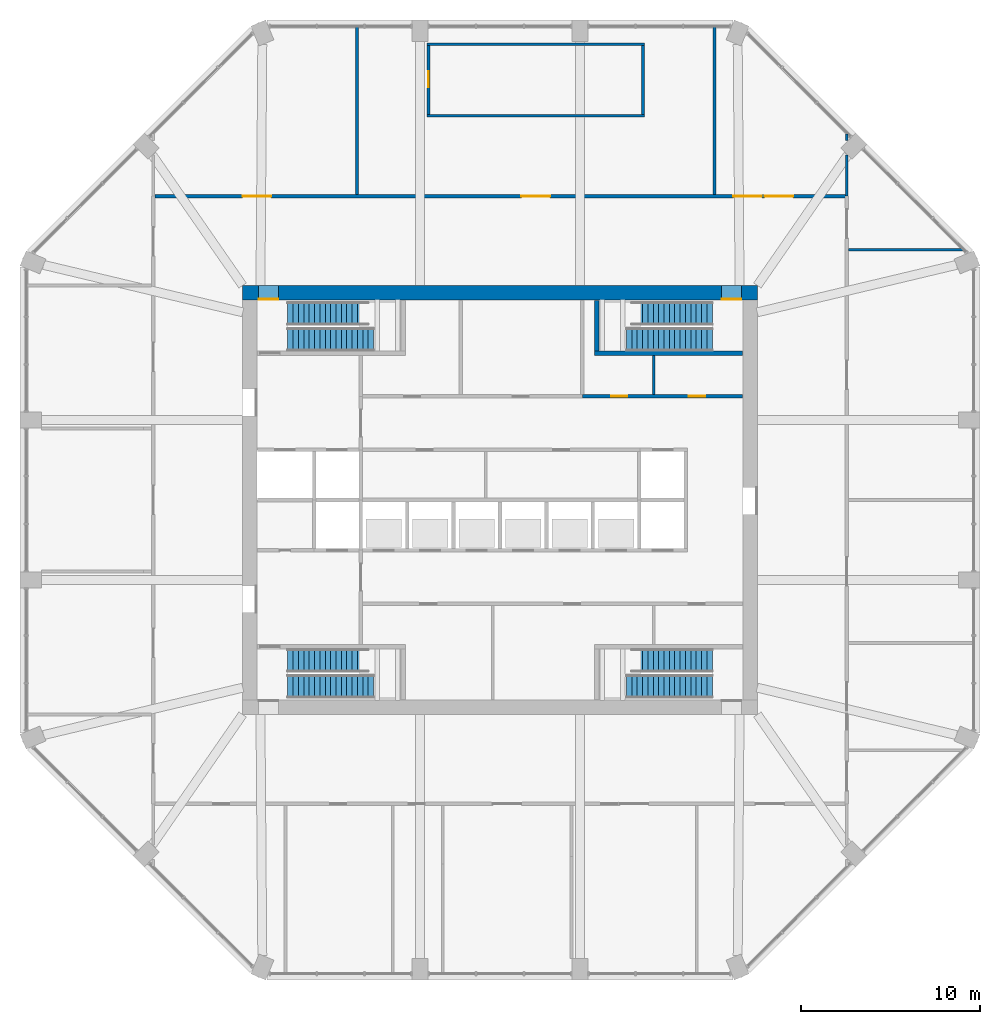
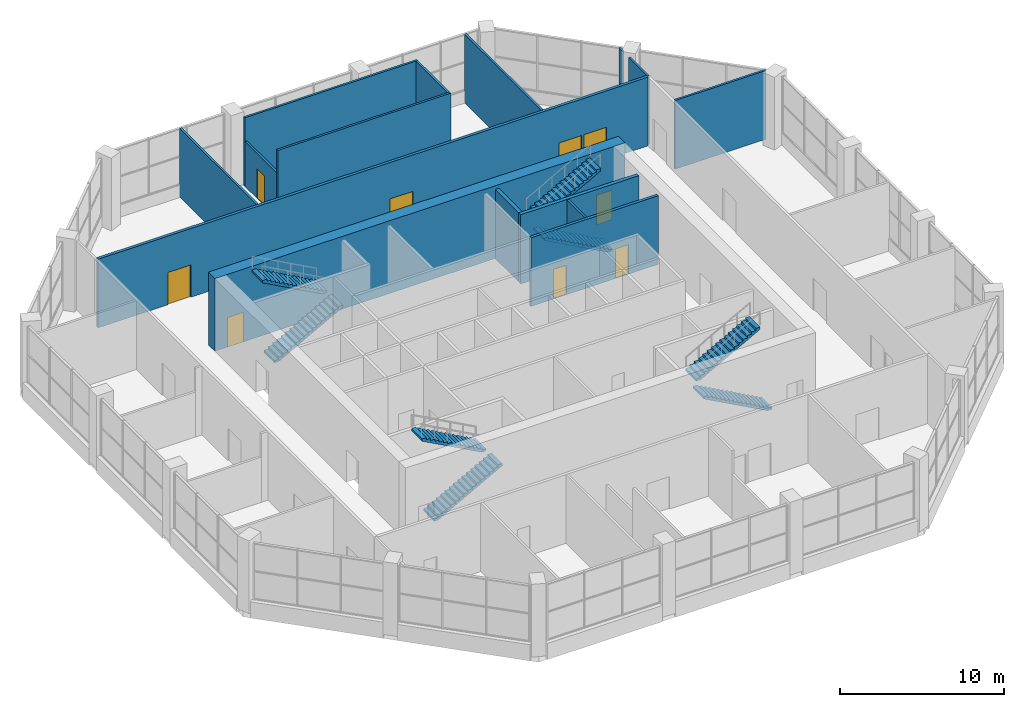
# One storey, part 14 of 16: 15 walls, 9 doors, 8 stair flights, 9 openings, 4 elements without a shape of their own.
"""IFC4 building model written with IfcOpenShell, lengths in metres."""

from ifc_helpers import new_model, si_unit, direction, frame, frame_2d, origin, place, context, subcontext, project, spatial, polyline, rectangle, outline, extrude, material, layer, layer_set, type_object, element, fill, aggregate, save


model = new_model("IFC4")

# Units and contexts
model_context = context("Model", 3, precision=1e-05, world=origin(), true_north=direction((0.0, 1.0)))
body_context = subcontext(model_context, "Body", "Model", "MODEL_VIEW")
ifc_project = project(units=[si_unit("LENGTHUNIT", "METRE"), si_unit("AREAUNIT", "SQUARE_METRE"), si_unit("VOLUMEUNIT", "CUBIC_METRE"), si_unit("PLANEANGLEUNIT", "RADIAN"), si_unit("MASSUNIT", "GRAM", prefix="KILO")], contexts=[model_context])

# Site, building, storey
site_placement = place(None, origin())
site = spatial("IfcSite", under=ifc_project, at=site_placement, CompositionType="ELEMENT")
building_placement = place(site_placement, origin())
building = spatial("IfcBuilding", under=site, at=building_placement, Name="Msitu Wima Residences", CompositionType="ELEMENT")
storey_placement = place(building_placement, frame((0.0, 0.0, 156.89990234375)))
storey = spatial("IfcBuildingStorey", under=building, at=storey_placement, Name="L36", CompositionType="ELEMENT", Elevation=156.89990234375)

# Wall, openings, doors
ifc_material_1 = material(Name="Concrete C70/85", Category="concrete")
ifc_layer_1 = layer(ifc_material_1, 0.800048828125)
ifc_layer_set_1 = layer_set([ifc_layer_1], Name="Concrete C70/85")
wall_type_1 = type_object("IfcWallType", Name="Core wall CW800 C70/85", PredefinedType="SHEAR", material=ifc_layer_set_1)
wall_1_placement = place(storey_placement, frame((-14.39990234375, 11.60009765625, 0.0), z_axis=(0.0, 0.0, 1.0), x_axis=(1.0, 0.0, 0.0)))
wall_1 = element("IfcWall", 1, at=wall_1_placement, inside=storey, type_object=wall_type_1, Name="Core wall", PredefinedType="SHEAR", context=body_context, shape_type="SweptSolid", body=[
    extrude(rectangle(XDim=28.7998046875, YDim=0.800048828125, at=frame_2d((14.39990234375, 0.0))), origin(), (0.0, 0.0, 1.0), 5.400146484375),
])
opening_1_placement = place(wall_1_placement, frame((0.89990234375, 0.0, 0.0)))
opening_1 = element("IfcOpeningElement", 2, at=opening_1_placement, cuts=wall_1, Name="Opening D36.040", PredefinedType="OPENING", context=body_context, shape_type="SweptSolid", body=[
    extrude(rectangle(XDim=1.10009765625, YDim=2.199951171875, at=frame_2d((0.550048828125, 1.10009765625))), frame((0.0, 0.409912109375, 0.0), z_axis=(0.0, -1.0, 0.0), x_axis=(1.0, 0.0, 0.0)), (0.0, 0.0, 1.0), 0.820068359375),
])
opening_2_placement = place(wall_1_placement, frame((26.800048828125, 0.0, 0.0)))
opening_2 = element("IfcOpeningElement", 3, at=opening_2_placement, cuts=wall_1, Name="Opening D36.042", PredefinedType="OPENING", context=body_context, shape_type="SweptSolid", body=[
    extrude(rectangle(XDim=1.10009765625, YDim=2.199951171875, at=frame_2d((0.550048828125, 1.10009765625))), frame((0.0, 0.409912109375, 0.0), z_axis=(0.0, -1.0, 0.0), x_axis=(1.0, 0.0, 0.0)), (0.0, 0.0, 1.0), 0.820068359375),
])
ifc_material_2 = material(Name="Steel door, fire resisting, panic bar", Category="steel")
door_type_1 = type_object("IfcDoorType", Name="Stair door D06 1100x2200", OperationType="SINGLE_SWING_LEFT", PredefinedType="DOOR", material=ifc_material_2)
door_1_placement = place(opening_1_placement, origin())
door_1 = element("IfcDoor", 4, at=door_1_placement, inside=storey, type_object=door_type_1, Name="Stair door", OperationType="SINGLE_SWING_RIGHT", OverallHeight=2.199951171875, OverallWidth=1.10009765625, PredefinedType="DOOR", context=body_context, shape_type="SweptSolid", body=[
    extrude(rectangle(XDim=1.10009765625, YDim=2.199951171875, at=frame_2d((0.550048828125, 1.10009765625))), frame((0.0, -0.34521484375, 0.0), z_axis=(0.0, -1.0, 0.0), x_axis=(1.0, 0.0, 0.0)), (0.0, 0.0, 1.0), 0.050048828125),
])
fill(opening_1, door_1)
door_2_placement = place(opening_2_placement, origin())
door_2 = element("IfcDoor", 5, at=door_2_placement, inside=storey, type_object=door_type_1, Name="Stair door", OperationType="SINGLE_SWING_LEFT", OverallHeight=2.199951171875, OverallWidth=1.10009765625, PredefinedType="DOOR", context=body_context, shape_type="SweptSolid", body=[
    extrude(rectangle(XDim=1.10009765625, YDim=2.199951171875, at=frame_2d((0.550048828125, 1.10009765625))), frame((0.0, -0.34521484375, 0.0), z_axis=(0.0, -1.0, 0.0), x_axis=(1.0, 0.0, 0.0)), (0.0, 0.0, 1.0), 0.050048828125),
])
fill(opening_2, door_2)

ifc_material_3 = material(Name="Plaster")
ifc_layer_2 = layer(ifc_material_3, 0.011962890625, Name="Plaster")
ifc_material_4 = material(Name="Concrete blockwork", Category="masonry")
ifc_layer_3 = layer(ifc_material_4, 0.176025390625, Name="Concrete blockwork")
ifc_layer_4 = layer(ifc_material_3, 0.011962890625, Name="Plaster")
ifc_layer_set_2 = layer_set([ifc_layer_2, ifc_layer_3, ifc_layer_4], Name="Concrete blockwork")
wall_type_2 = type_object("IfcWallType", Name="Corridor wall FW200", PredefinedType="PARTITIONING", material=ifc_layer_set_2)
wall_2_placement = place(storey_placement, frame((-19.300048828125, 17.0, 0.0), z_axis=(0.0, 0.0, 1.0), x_axis=(1.0, 0.0, 0.0)))
wall_2 = element("IfcWall", 6, at=wall_2_placement, inside=storey, type_object=wall_type_2, Name="Corridor wall", PredefinedType="PARTITIONING", context=body_context, shape_type="SweptSolid", body=[
    extrude(rectangle(XDim=38.625, YDim=0.199951171875, at=frame_2d((19.3125, 0.0))), origin(), (0.0, 0.0, 1.0), 5.10009765625),
])
opening_3_placement = place(wall_2_placement, frame((4.89990234375, 0.0, 0.0)))
opening_3 = element("IfcOpeningElement", 7, at=opening_3_placement, cuts=wall_2, Name="Opening D36.020", PredefinedType="OPENING", context=body_context, shape_type="SweptSolid", body=[
    extrude(rectangle(XDim=1.60009765625, YDim=2.39990234375, at=frame_2d((0.800048828125, 1.199951171875))), frame((0.0, 0.10986328125, 0.0), z_axis=(0.0, -1.0, 0.0), x_axis=(1.0, 0.0, 0.0)), (0.0, 0.0, 1.0), 0.219970703125),
])
opening_4_placement = place(wall_2_placement, frame((34.10009765625, 0.0, 0.0)))
opening_4 = element("IfcOpeningElement", 8, at=opening_4_placement, cuts=wall_2, Name="Opening D36.021", PredefinedType="OPENING", context=body_context, shape_type="SweptSolid", body=[
    extrude(rectangle(XDim=1.60009765625, YDim=2.39990234375, at=frame_2d((0.800048828125, 1.199951171875))), frame((0.0, 0.10986328125, 0.0), z_axis=(0.0, -1.0, 0.0), x_axis=(1.0, 0.0, 0.0)), (0.0, 0.0, 1.0), 0.219970703125),
])
opening_5_placement = place(wall_2_placement, frame((20.5, 0.0, 0.0)))
opening_5 = element("IfcOpeningElement", 9, at=opening_5_placement, cuts=wall_2, Name="Opening D36.033", PredefinedType="OPENING", context=body_context, shape_type="SweptSolid", body=[
    extrude(rectangle(XDim=1.60009765625, YDim=2.39990234375, at=frame_2d((0.800048828125, 1.199951171875))), frame((0.0, 0.10986328125, 0.0), z_axis=(0.0, -1.0, 0.0), x_axis=(1.0, 0.0, 0.0)), (0.0, 0.0, 1.0), 0.219970703125),
])
opening_6_placement = place(wall_2_placement, frame((32.35009765625, 0.0, 0.0)))
opening_6 = element("IfcOpeningElement", 10, at=opening_6_placement, cuts=wall_2, Name="Opening D36.034", PredefinedType="OPENING", context=body_context, shape_type="SweptSolid", body=[
    extrude(rectangle(XDim=1.60009765625, YDim=2.39990234375, at=frame_2d((0.800048828125, 1.199951171875))), frame((0.0, 0.10986328125, 0.0), z_axis=(0.0, -1.0, 0.0), x_axis=(1.0, 0.0, 0.0)), (0.0, 0.0, 1.0), 0.219970703125),
])
ifc_material_5 = material(Name="Black aluminium glazed door", Category="aluminium")
door_type_2 = type_object("IfcDoorType", Name="Amenity door D10 1600x2400", OperationType="DOUBLE_DOOR_SINGLE_SWING", PredefinedType="DOOR", material=ifc_material_5)
door_3_placement = place(opening_3_placement, origin())
door_3 = element("IfcDoor", 11, at=door_3_placement, inside=storey, type_object=door_type_2, Name="Amenity door", OperationType="DOUBLE_DOOR_SINGLE_SWING", OverallHeight=2.39990234375, OverallWidth=1.60009765625, PredefinedType="DOOR", context=body_context, shape_type="SweptSolid", body=[
    extrude(rectangle(XDim=1.60009765625, YDim=2.39990234375, at=frame_2d((0.800048828125, 1.199951171875))), frame((0.0, 0.02490234375, 0.0), z_axis=(0.0, -1.0, 0.0), x_axis=(1.0, 0.0, 0.0)), (0.0, 0.0, 1.0), 0.050048828125),
])
fill(opening_3, door_3)
door_4_placement = place(opening_4_placement, origin())
door_4 = element("IfcDoor", 12, at=door_4_placement, inside=storey, type_object=door_type_2, Name="Amenity door", OperationType="DOUBLE_DOOR_SINGLE_SWING", OverallHeight=2.39990234375, OverallWidth=1.60009765625, PredefinedType="DOOR", context=body_context, shape_type="SweptSolid", body=[
    extrude(rectangle(XDim=1.60009765625, YDim=2.39990234375, at=frame_2d((0.800048828125, 1.199951171875))), frame((0.0, 0.02490234375, 0.0), z_axis=(0.0, -1.0, 0.0), x_axis=(1.0, 0.0, 0.0)), (0.0, 0.0, 1.0), 0.050048828125),
])
fill(opening_4, door_4)
door_5_placement = place(opening_5_placement, origin())
door_5 = element("IfcDoor", 13, at=door_5_placement, inside=storey, type_object=door_type_2, Name="Amenity door", OperationType="DOUBLE_DOOR_SINGLE_SWING", OverallHeight=2.39990234375, OverallWidth=1.60009765625, PredefinedType="DOOR", context=body_context, shape_type="SweptSolid", body=[
    extrude(rectangle(XDim=1.60009765625, YDim=2.39990234375, at=frame_2d((0.800048828125, 1.199951171875))), frame((0.0, 0.02490234375, 0.0), z_axis=(0.0, -1.0, 0.0), x_axis=(1.0, 0.0, 0.0)), (0.0, 0.0, 1.0), 0.050048828125),
])
fill(opening_5, door_5)
door_6_placement = place(opening_6_placement, origin())
door_6 = element("IfcDoor", 14, at=door_6_placement, inside=storey, type_object=door_type_2, Name="Amenity door", OperationType="DOUBLE_DOOR_SINGLE_SWING", OverallHeight=2.39990234375, OverallWidth=1.60009765625, PredefinedType="DOOR", context=body_context, shape_type="SweptSolid", body=[
    extrude(rectangle(XDim=1.60009765625, YDim=2.39990234375, at=frame_2d((0.800048828125, 1.199951171875))), frame((0.0, 0.02490234375, 0.0), z_axis=(0.0, -1.0, 0.0), x_axis=(1.0, 0.0, 0.0)), (0.0, 0.0, 1.0), 0.050048828125),
])
fill(opening_6, door_6)

wall_3_placement = place(storey_placement, frame((4.6201171875, 5.800048828125, 0.0), z_axis=(0.0, 0.0, 1.0), x_axis=(1.0, 0.0, 0.0)))
wall_3 = element("IfcWall", 15, at=wall_3_placement, inside=storey, type_object=wall_type_2, Name="Corridor wall", PredefinedType="PARTITIONING", context=body_context, shape_type="SweptSolid", body=[
    extrude(rectangle(XDim=8.949951171875, YDim=0.199951171875, at=frame_2d((4.47509765625, 0.0))), origin(), (0.0, 0.0, 1.0), 5.10009765625),
])
opening_7_placement = place(wall_3_placement, frame((1.60009765625, 0.0, 0.0)))
opening_7 = element("IfcOpeningElement", 16, at=opening_7_placement, cuts=wall_3, Name="Opening D36.005", PredefinedType="OPENING", context=body_context, shape_type="SweptSolid", body=[
    extrude(rectangle(XDim=0.89990234375, YDim=2.199951171875, at=frame_2d((0.449951171875, 1.10009765625))), frame((0.0, 0.10986328125, 0.0), z_axis=(0.0, -1.0, 0.0), x_axis=(1.0, 0.0, 0.0)), (0.0, 0.0, 1.0), 0.219970703125),
])
opening_8_placement = place(wall_3_placement, frame((5.949951171875, 0.0, 0.0)))
opening_8 = element("IfcOpeningElement", 17, at=opening_8_placement, cuts=wall_3, Name="Opening D36.006", PredefinedType="OPENING", context=body_context, shape_type="SweptSolid", body=[
    extrude(rectangle(XDim=0.89990234375, YDim=2.199951171875, at=frame_2d((0.449951171875, 1.10009765625))), frame((0.0, 0.10986328125, 0.0), z_axis=(0.0, -1.0, 0.0), x_axis=(1.0, 0.0, 0.0)), (0.0, 0.0, 1.0), 0.219970703125),
])
ifc_material_6 = material(Name="Timber flush door", Category="wood")
door_type_3 = type_object("IfcDoorType", Name="Service door D05 900x2200", OperationType="SINGLE_SWING_LEFT", PredefinedType="DOOR", material=ifc_material_6)
door_7_placement = place(opening_7_placement, origin())
door_7 = element("IfcDoor", 18, at=door_7_placement, inside=storey, type_object=door_type_3, Name="Service door", OperationType="SINGLE_SWING_RIGHT", OverallHeight=2.199951171875, OverallWidth=0.89990234375, PredefinedType="DOOR", context=body_context, shape_type="SweptSolid", body=[
    extrude(rectangle(XDim=0.89990234375, YDim=2.199951171875, at=frame_2d((0.449951171875, 1.10009765625))), frame((0.0, 0.02490234375, 0.0), z_axis=(0.0, -1.0, 0.0), x_axis=(1.0, 0.0, 0.0)), (0.0, 0.0, 1.0), 0.050048828125),
])
fill(opening_7, door_7)
door_8_placement = place(opening_8_placement, origin())
door_8 = element("IfcDoor", 19, at=door_8_placement, inside=storey, type_object=door_type_3, Name="Service door", OperationType="SINGLE_SWING_LEFT", OverallHeight=2.199951171875, OverallWidth=0.89990234375, PredefinedType="DOOR", context=body_context, shape_type="SweptSolid", body=[
    extrude(rectangle(XDim=0.89990234375, YDim=2.199951171875, at=frame_2d((0.449951171875, 1.10009765625))), frame((0.0, 0.02490234375, 0.0), z_axis=(0.0, -1.0, 0.0), x_axis=(1.0, 0.0, 0.0)), (0.0, 0.0, 1.0), 0.050048828125),
])
fill(opening_8, door_8)

# Wall
ifc_layer_5 = layer(ifc_material_3, 0.011962890625, Name="Plaster")
ifc_layer_6 = layer(ifc_material_4, 0.1259765625, Name="Concrete blockwork")
ifc_layer_7 = layer(ifc_material_3, 0.011962890625, Name="Plaster")
ifc_layer_set_3 = layer_set([ifc_layer_5, ifc_layer_6, ifc_layer_7], Name="Concrete blockwork")
wall_type_3 = type_object("IfcWallType", Name="Partition PW150", PredefinedType="PARTITIONING", material=ifc_layer_set_3)
wall_4_placement = place(storey_placement, frame((-8.0, 17.10009765625, 0.0), z_axis=(0.0, 0.0, 1.0), x_axis=(0.0, 1.0, 0.0)))
element("IfcWall", 20, at=wall_4_placement, inside=storey, type_object=wall_type_3, Name="Partition", PredefinedType="PARTITIONING", context=body_context, shape_type="SweptSolid", body=[
    extrude(rectangle(XDim=9.35498046875, YDim=0.14990234375, at=frame_2d((4.677490234375, 0.0))), origin(), (0.0, 0.0, 1.0), 5.10009765625),
])

# Wall, opening, door
wall_5_placement = place(storey_placement, frame((-4.0, 21.574951171875, 0.0), z_axis=(0.0, 0.0, 1.0), x_axis=(0.0, 1.0, 0.0)))
wall_5 = element("IfcWall", 21, at=wall_5_placement, inside=storey, type_object=wall_type_3, Name="Partition", PredefinedType="PARTITIONING", context=body_context, shape_type="SweptSolid", body=[
    extrude(rectangle(XDim=3.85009765625, YDim=0.14990234375, at=frame_2d((1.925048828125, 0.0))), origin(), (0.0, 0.0, 1.0), 3.35009765625),
])
opening_9_placement = place(wall_5_placement, frame((1.5, 0.0, 0.0)))
opening_9 = element("IfcOpeningElement", 22, at=opening_9_placement, cuts=wall_5, Name="Opening D36.044", PredefinedType="OPENING", context=body_context, shape_type="SweptSolid", body=[
    extrude(rectangle(XDim=0.89990234375, YDim=2.199951171875, at=frame_2d((0.449951171875, 1.10009765625))), frame((0.0, 0.0849609375, 0.0), z_axis=(0.0, -1.0, 0.0), x_axis=(1.0, 0.0, 0.0)), (0.0, 0.0, 1.0), 0.169921875),
])
door_9_placement = place(opening_9_placement, origin())
door_9 = element("IfcDoor", 23, at=door_9_placement, inside=storey, type_object=door_type_3, Name="Service door", OperationType="SINGLE_SWING_RIGHT", OverallHeight=2.199951171875, OverallWidth=0.89990234375, PredefinedType="DOOR", context=body_context, shape_type="SweptSolid", body=[
    extrude(rectangle(XDim=0.89990234375, YDim=2.199951171875, at=frame_2d((0.449951171875, 1.10009765625))), frame((0.0, 0.02490234375, 0.0), z_axis=(0.0, -1.0, 0.0), x_axis=(1.0, 0.0, 0.0)), (0.0, 0.0, 1.0), 0.050048828125),
])
fill(opening_9, door_9)

# Walls
for number, where, z_axis, x_axis, name in (
    (24, (-4.074951171875, 21.5, 0.0), (0.0, 0.0, 1.0), (1.0, 0.0, 0.0), "Partition"),
    (25, (-4.074951171875, 25.5, 0.0), (0.0, 0.0, 1.0), (1.0, 0.0, 0.0), "Partition"),
):
    element("IfcWall", number, at=place(storey_placement, frame(where, z_axis=z_axis, x_axis=x_axis)), inside=storey, type_object=wall_type_3, Name=name, PredefinedType="PARTITIONING", context=body_context, shape_type="SweptSolid", body=[
        extrude(rectangle(XDim=12.14990234375, YDim=0.14990234375, at=frame_2d((6.074951171875, 0.0))), origin(), (0.0, 0.0, 1.0), 5.10009765625),
    ])
wall_6_placement = place(storey_placement, frame((8.0, 21.574951171875, 0.0), z_axis=(0.0, 0.0, 1.0), x_axis=(0.0, 1.0, 0.0)))
element("IfcWall", 26, at=wall_6_placement, inside=storey, type_object=wall_type_3, Name="Partition", PredefinedType="PARTITIONING", context=body_context, shape_type="SweptSolid", body=[
    extrude(rectangle(XDim=3.85009765625, YDim=0.14990234375, at=frame_2d((1.925048828125, 0.0))), origin(), (0.0, 0.0, 1.0), 5.10009765625),
])
wall_7_placement = place(storey_placement, frame((8.60009765625, 5.89990234375, 0.0), z_axis=(0.0, 0.0, 1.0), x_axis=(0.0, 1.0, 0.0)))
element("IfcWall", 27, at=wall_7_placement, inside=storey, type_object=wall_type_3, Name="Partition", PredefinedType="PARTITIONING", context=body_context, shape_type="SweptSolid", body=[
    extrude(rectangle(XDim=2.175048828125, YDim=0.14990234375, at=frame_2d((1.08740234375, 0.0))), origin(), (0.0, 0.0, 1.0), 5.10009765625),
])
wall_8_placement = place(storey_placement, frame((12.0, 17.10009765625, 0.0), z_axis=(0.0, 0.0, 1.0), x_axis=(0.0, 1.0, 0.0)))
element("IfcWall", 28, at=wall_8_placement, inside=storey, type_object=wall_type_3, Name="Partition", PredefinedType="PARTITIONING", context=body_context, shape_type="SweptSolid", body=[
    extrude(rectangle(XDim=9.35498046875, YDim=0.14990234375, at=frame_2d((4.677490234375, 0.0))), origin(), (0.0, 0.0, 1.0), 5.10009765625),
])
wall_9_placement = place(storey_placement, frame((19.5, 14.0, 0.0), z_axis=(0.0, 0.0, 1.0), x_axis=(1.0, 0.0, 0.0)))
element("IfcWall", 29, at=wall_9_placement, inside=storey, type_object=wall_type_3, Name="Partition", PredefinedType="PARTITIONING", context=body_context, shape_type="SweptSolid", body=[
    extrude(rectangle(XDim=6.3837890625, YDim=0.14990234375, at=frame_2d((3.19189453125, 0.0))), origin(), (0.0, 0.0, 1.0), 5.10009765625),
])
wall_10_placement = place(storey_placement, frame((19.39990234375, 17.0, 0.0), z_axis=(0.0, 0.0, 1.0), x_axis=(0.0, 1.0, 0.0)))
element("IfcWall", 30, at=wall_10_placement, inside=storey, type_object=wall_type_3, Name="Partition", PredefinedType="PARTITIONING", context=body_context, shape_type="SweptSolid", body=[
    extrude(rectangle(XDim=2.28515625, YDim=0.14990234375, at=frame_2d((1.142578125, 0.0))), origin(), (0.0, 0.0, 1.0), 5.10009765625),
])
wall_11_placement = place(storey_placement, frame((19.39990234375, 20.096435546875, 0.0), z_axis=(0.0, 0.0, 1.0), x_axis=(0.0, 1.0, 0.0)))
element("IfcWall", 31, at=wall_11_placement, inside=storey, type_object=wall_type_3, Name="Partition", PredefinedType="PARTITIONING", context=body_context, shape_type="SweptSolid", body=[
    extrude(rectangle(XDim=0.38720703125, YDim=0.14990234375, at=frame_2d((0.193603515625, 0.0))), origin(), (0.0, 0.0, 1.0), 5.10009765625),
])
ifc_material_7 = material(Name="Concrete C50/60", Category="concrete")
ifc_layer_8 = layer(ifc_material_7, 0.25)
ifc_layer_set_4 = layer_set([ifc_layer_8], Name="Concrete C50/60")
wall_type_4 = type_object("IfcWallType", Name="Stair enclosure wall SW250", PredefinedType="SHEAR", material=ifc_layer_set_4)
wall_12_placement = place(storey_placement, frame((5.39990234375, 8.324951171875, 0.0), z_axis=(0.0, 0.0, 1.0), x_axis=(0.0, 1.0, 0.0)))
element("IfcWall", 32, at=wall_12_placement, inside=storey, type_object=wall_type_4, Name="Stair enclosure wall", PredefinedType="SHEAR", context=body_context, shape_type="SweptSolid", body=[
    extrude(rectangle(XDim=2.844970703125, YDim=0.25, at=frame_2d((1.42236328125, 0.0))), origin(), (0.0, 0.0, 1.0), 5.150146484375),
])
wall_13_placement = place(storey_placement, frame((5.27490234375, 8.199951171875, 0.0), z_axis=(0.0, 0.0, 1.0), x_axis=(1.0, 0.0, 0.0)))
element("IfcWall", 33, at=wall_13_placement, inside=storey, type_object=wall_type_4, Name="Stair enclosure wall", PredefinedType="SHEAR", context=body_context, shape_type="SweptSolid", body=[
    extrude(rectangle(XDim=8.295166015625, YDim=0.25, at=frame_2d((4.1474609375, 0.0))), origin(), (0.0, 0.0, 1.0), 5.150146484375),
])

# Stair, stair flights
ifc_material_8 = material(Name="Concrete C40/50", Category="concrete")
stair_type = type_object("IfcStairType", Name="Exit stair ES1636-130", PredefinedType="HALF_TURN_STAIR", material=ifc_material_8)
stair_1_placement = place(storey_placement, origin())
stair_1 = element("IfcStair", 34, at=stair_1_placement, inside=storey, type_object=stair_type, Name="Exit stair 1", PredefinedType="HALF_TURN_STAIR")
stair_flight_type = type_object("IfcStairFlightType", Name="Exit stair flight ES1636-130", PredefinedType="STRAIGHT", material=ifc_material_8)
stair_flight_1_placement = place(storey_placement, frame((-11.875, 8.97509765625, 0.0), z_axis=(0.0, 0.0, 1.0), x_axis=(1.0, 0.0, 0.0)))
stair_flight_1 = element("IfcStairFlight", 35, at=stair_flight_1_placement, type_object=stair_flight_type, Name="S1 flight 1", NumberOfRisers=17, NumberOfTreads=16, PredefinedType="STRAIGHT", RiserHeight=0.163636364, TreadLength=0.3, context=body_context, shape_type="SweptSolid", body=[
    extrude(outline(polyline([(0.0, 0.0), (0.0, 0.16357421875), (0.300048828125, 0.16357421875), (0.300048828125, 0.327392578125), (0.60009765625, 0.327392578125), (0.60009765625, 0.490966796875), (0.89990234375, 0.490966796875), (0.89990234375, 0.654541015625), (1.199951171875, 0.654541015625), (1.199951171875, 0.818115234375), (1.5, 0.818115234375), (1.5, 0.98193359375), (1.800048828125, 0.98193359375), (1.800048828125, 1.1455078125), (2.10009765625, 1.1455078125), (2.10009765625, 1.30908203125), (2.39990234375, 1.30908203125), (2.39990234375, 1.47265625), (2.699951171875, 1.47265625), (2.699951171875, 1.636474609375), (3.0, 1.636474609375), (3.0, 1.800048828125), (3.300048828125, 1.800048828125), (3.300048828125, 1.963623046875), (3.60009765625, 1.963623046875), (3.60009765625, 2.127197265625), (3.89990234375, 2.127197265625), (3.89990234375, 2.291015625), (4.199951171875, 2.291015625), (4.199951171875, 2.45458984375), (4.5, 2.45458984375), (4.5, 2.6181640625), (4.800048828125, 2.6181640625), (4.800048828125, 2.78173828125), (4.800048828125, 2.447509765625), (0.31298828125, 0.0), (0.0, 0.0)])), frame((0.0, 0.64990234375, 0.0), z_axis=(0.0, -1.0, 0.0), x_axis=(1.0, 0.0, 0.0)), (0.0, 0.0, 1.0), 1.300048828125),
])
stair_flight_2_placement = place(storey_placement, frame((-7.375, 10.425048828125, 2.781982421875), z_axis=(0.0, 0.0, 1.0), x_axis=(-1.0, 0.0, 0.0)))
stair_flight_2 = element("IfcStairFlight", 36, at=stair_flight_2_placement, type_object=stair_flight_type, Name="S1 flight 2", NumberOfRisers=16, NumberOfTreads=15, PredefinedType="STRAIGHT", RiserHeight=0.163636364, TreadLength=0.3, context=body_context, shape_type="SweptSolid", body=[
    extrude(outline(polyline([(0.0, 0.0), (0.0, 0.16357421875), (0.300048828125, 0.16357421875), (0.300048828125, 0.327392578125), (0.60009765625, 0.327392578125), (0.60009765625, 0.490966796875), (0.89990234375, 0.490966796875), (0.89990234375, 0.654541015625), (1.199951171875, 0.654541015625), (1.199951171875, 0.818115234375), (1.5, 0.818115234375), (1.5, 0.98193359375), (1.800048828125, 0.98193359375), (1.800048828125, 1.1455078125), (2.10009765625, 1.1455078125), (2.10009765625, 1.30908203125), (2.39990234375, 1.30908203125), (2.39990234375, 1.47265625), (2.699951171875, 1.47265625), (2.699951171875, 1.636474609375), (3.0, 1.636474609375), (3.0, 1.800048828125), (3.300048828125, 1.800048828125), (3.300048828125, 1.963623046875), (3.60009765625, 1.963623046875), (3.60009765625, 2.127197265625), (3.89990234375, 2.127197265625), (3.89990234375, 2.291015625), (4.199951171875, 2.291015625), (4.199951171875, 2.45458984375), (4.5, 2.45458984375), (4.5, 2.6181640625), (4.5, 2.28369140625), (0.31298828125, 0.0), (0.0, 0.0)])), frame((0.0, 0.64990234375, 0.0), z_axis=(0.0, -1.0, 0.0), x_axis=(1.0, 0.0, 0.0)), (0.0, 0.0, 1.0), 1.300048828125),
])
aggregate(stair_1, [stair_flight_1, stair_flight_2])

stair_2_placement = place(storey_placement, origin())
stair_2 = element("IfcStair", 37, at=stair_2_placement, inside=storey, type_object=stair_type, Name="Exit stair 2", PredefinedType="HALF_TURN_STAIR")
stair_flight_3_placement = place(storey_placement, frame((-11.875, -10.425048828125, 0.0), z_axis=(0.0, 0.0, 1.0), x_axis=(1.0, 0.0, 0.0)))
stair_flight_3 = element("IfcStairFlight", 38, at=stair_flight_3_placement, type_object=stair_flight_type, Name="S2 flight 1", NumberOfRisers=17, NumberOfTreads=16, PredefinedType="STRAIGHT", RiserHeight=0.163636364, TreadLength=0.3, context=body_context, shape_type="SweptSolid", body=[
    extrude(outline(polyline([(0.0, 0.0), (0.0, 0.16357421875), (0.300048828125, 0.16357421875), (0.300048828125, 0.327392578125), (0.60009765625, 0.327392578125), (0.60009765625, 0.490966796875), (0.89990234375, 0.490966796875), (0.89990234375, 0.654541015625), (1.199951171875, 0.654541015625), (1.199951171875, 0.818115234375), (1.5, 0.818115234375), (1.5, 0.98193359375), (1.800048828125, 0.98193359375), (1.800048828125, 1.1455078125), (2.10009765625, 1.1455078125), (2.10009765625, 1.30908203125), (2.39990234375, 1.30908203125), (2.39990234375, 1.47265625), (2.699951171875, 1.47265625), (2.699951171875, 1.636474609375), (3.0, 1.636474609375), (3.0, 1.800048828125), (3.300048828125, 1.800048828125), (3.300048828125, 1.963623046875), (3.60009765625, 1.963623046875), (3.60009765625, 2.127197265625), (3.89990234375, 2.127197265625), (3.89990234375, 2.291015625), (4.199951171875, 2.291015625), (4.199951171875, 2.45458984375), (4.5, 2.45458984375), (4.5, 2.6181640625), (4.800048828125, 2.6181640625), (4.800048828125, 2.78173828125), (4.800048828125, 2.447509765625), (0.31298828125, 0.0), (0.0, 0.0)])), frame((0.0, 0.64990234375, 0.0), z_axis=(0.0, -1.0, 0.0), x_axis=(1.0, 0.0, 0.0)), (0.0, 0.0, 1.0), 1.300048828125),
])
stair_flight_4_placement = place(storey_placement, frame((-7.375, -8.97509765625, 2.781982421875), z_axis=(0.0, 0.0, 1.0), x_axis=(-1.0, 0.0, 0.0)))
stair_flight_4 = element("IfcStairFlight", 39, at=stair_flight_4_placement, type_object=stair_flight_type, Name="S2 flight 2", NumberOfRisers=16, NumberOfTreads=15, PredefinedType="STRAIGHT", RiserHeight=0.163636364, TreadLength=0.3, context=body_context, shape_type="SweptSolid", body=[
    extrude(outline(polyline([(0.0, 0.0), (0.0, 0.16357421875), (0.300048828125, 0.16357421875), (0.300048828125, 0.327392578125), (0.60009765625, 0.327392578125), (0.60009765625, 0.490966796875), (0.89990234375, 0.490966796875), (0.89990234375, 0.654541015625), (1.199951171875, 0.654541015625), (1.199951171875, 0.818115234375), (1.5, 0.818115234375), (1.5, 0.98193359375), (1.800048828125, 0.98193359375), (1.800048828125, 1.1455078125), (2.10009765625, 1.1455078125), (2.10009765625, 1.30908203125), (2.39990234375, 1.30908203125), (2.39990234375, 1.47265625), (2.699951171875, 1.47265625), (2.699951171875, 1.636474609375), (3.0, 1.636474609375), (3.0, 1.800048828125), (3.300048828125, 1.800048828125), (3.300048828125, 1.963623046875), (3.60009765625, 1.963623046875), (3.60009765625, 2.127197265625), (3.89990234375, 2.127197265625), (3.89990234375, 2.291015625), (4.199951171875, 2.291015625), (4.199951171875, 2.45458984375), (4.5, 2.45458984375), (4.5, 2.6181640625), (4.5, 2.28369140625), (0.31298828125, 0.0), (0.0, 0.0)])), frame((0.0, 0.64990234375, 0.0), z_axis=(0.0, -1.0, 0.0), x_axis=(1.0, 0.0, 0.0)), (0.0, 0.0, 1.0), 1.300048828125),
])
aggregate(stair_2, [stair_flight_3, stair_flight_4])

stair_3_placement = place(storey_placement, origin())
stair_3 = element("IfcStair", 40, at=stair_3_placement, inside=storey, type_object=stair_type, Name="Exit stair 3", PredefinedType="HALF_TURN_STAIR")
stair_flight_5_placement = place(storey_placement, frame((11.875, 8.97509765625, 0.0), z_axis=(0.0, 0.0, 1.0), x_axis=(-1.0, 0.0, 0.0)))
stair_flight_5 = element("IfcStairFlight", 41, at=stair_flight_5_placement, type_object=stair_flight_type, Name="S3 flight 1", NumberOfRisers=17, NumberOfTreads=16, PredefinedType="STRAIGHT", RiserHeight=0.163636364, TreadLength=0.3, context=body_context, shape_type="SweptSolid", body=[
    extrude(outline(polyline([(0.0, 0.0), (0.0, 0.16357421875), (0.300048828125, 0.16357421875), (0.300048828125, 0.327392578125), (0.60009765625, 0.327392578125), (0.60009765625, 0.490966796875), (0.89990234375, 0.490966796875), (0.89990234375, 0.654541015625), (1.199951171875, 0.654541015625), (1.199951171875, 0.818115234375), (1.5, 0.818115234375), (1.5, 0.98193359375), (1.800048828125, 0.98193359375), (1.800048828125, 1.1455078125), (2.10009765625, 1.1455078125), (2.10009765625, 1.30908203125), (2.39990234375, 1.30908203125), (2.39990234375, 1.47265625), (2.699951171875, 1.47265625), (2.699951171875, 1.636474609375), (3.0, 1.636474609375), (3.0, 1.800048828125), (3.300048828125, 1.800048828125), (3.300048828125, 1.963623046875), (3.60009765625, 1.963623046875), (3.60009765625, 2.127197265625), (3.89990234375, 2.127197265625), (3.89990234375, 2.291015625), (4.199951171875, 2.291015625), (4.199951171875, 2.45458984375), (4.5, 2.45458984375), (4.5, 2.6181640625), (4.800048828125, 2.6181640625), (4.800048828125, 2.78173828125), (4.800048828125, 2.447509765625), (0.31298828125, 0.0), (0.0, 0.0)])), frame((0.0, 0.64990234375, 0.0), z_axis=(0.0, -1.0, 0.0), x_axis=(1.0, 0.0, 0.0)), (0.0, 0.0, 1.0), 1.300048828125),
])
stair_flight_6_placement = place(storey_placement, frame((7.375, 10.425048828125, 2.781982421875), z_axis=(0.0, 0.0, 1.0), x_axis=(1.0, 0.0, 0.0)))
stair_flight_6 = element("IfcStairFlight", 42, at=stair_flight_6_placement, type_object=stair_flight_type, Name="S3 flight 2", NumberOfRisers=16, NumberOfTreads=15, PredefinedType="STRAIGHT", RiserHeight=0.163636364, TreadLength=0.3, context=body_context, shape_type="SweptSolid", body=[
    extrude(outline(polyline([(0.0, 0.0), (0.0, 0.16357421875), (0.300048828125, 0.16357421875), (0.300048828125, 0.327392578125), (0.60009765625, 0.327392578125), (0.60009765625, 0.490966796875), (0.89990234375, 0.490966796875), (0.89990234375, 0.654541015625), (1.199951171875, 0.654541015625), (1.199951171875, 0.818115234375), (1.5, 0.818115234375), (1.5, 0.98193359375), (1.800048828125, 0.98193359375), (1.800048828125, 1.1455078125), (2.10009765625, 1.1455078125), (2.10009765625, 1.30908203125), (2.39990234375, 1.30908203125), (2.39990234375, 1.47265625), (2.699951171875, 1.47265625), (2.699951171875, 1.636474609375), (3.0, 1.636474609375), (3.0, 1.800048828125), (3.300048828125, 1.800048828125), (3.300048828125, 1.963623046875), (3.60009765625, 1.963623046875), (3.60009765625, 2.127197265625), (3.89990234375, 2.127197265625), (3.89990234375, 2.291015625), (4.199951171875, 2.291015625), (4.199951171875, 2.45458984375), (4.5, 2.45458984375), (4.5, 2.6181640625), (4.5, 2.28369140625), (0.31298828125, 0.0), (0.0, 0.0)])), frame((0.0, 0.64990234375, 0.0), z_axis=(0.0, -1.0, 0.0), x_axis=(1.0, 0.0, 0.0)), (0.0, 0.0, 1.0), 1.300048828125),
])
aggregate(stair_3, [stair_flight_5, stair_flight_6])

stair_4_placement = place(storey_placement, origin())
stair_4 = element("IfcStair", 43, at=stair_4_placement, inside=storey, type_object=stair_type, Name="Exit stair 4", PredefinedType="HALF_TURN_STAIR")
stair_flight_7_placement = place(storey_placement, frame((11.875, -10.425048828125, 0.0), z_axis=(0.0, 0.0, 1.0), x_axis=(-1.0, 0.0, 0.0)))
stair_flight_7 = element("IfcStairFlight", 44, at=stair_flight_7_placement, type_object=stair_flight_type, Name="S4 flight 1", NumberOfRisers=17, NumberOfTreads=16, PredefinedType="STRAIGHT", RiserHeight=0.163636364, TreadLength=0.3, context=body_context, shape_type="SweptSolid", body=[
    extrude(outline(polyline([(0.0, 0.0), (0.0, 0.16357421875), (0.300048828125, 0.16357421875), (0.300048828125, 0.327392578125), (0.60009765625, 0.327392578125), (0.60009765625, 0.490966796875), (0.89990234375, 0.490966796875), (0.89990234375, 0.654541015625), (1.199951171875, 0.654541015625), (1.199951171875, 0.818115234375), (1.5, 0.818115234375), (1.5, 0.98193359375), (1.800048828125, 0.98193359375), (1.800048828125, 1.1455078125), (2.10009765625, 1.1455078125), (2.10009765625, 1.30908203125), (2.39990234375, 1.30908203125), (2.39990234375, 1.47265625), (2.699951171875, 1.47265625), (2.699951171875, 1.636474609375), (3.0, 1.636474609375), (3.0, 1.800048828125), (3.300048828125, 1.800048828125), (3.300048828125, 1.963623046875), (3.60009765625, 1.963623046875), (3.60009765625, 2.127197265625), (3.89990234375, 2.127197265625), (3.89990234375, 2.291015625), (4.199951171875, 2.291015625), (4.199951171875, 2.45458984375), (4.5, 2.45458984375), (4.5, 2.6181640625), (4.800048828125, 2.6181640625), (4.800048828125, 2.78173828125), (4.800048828125, 2.447509765625), (0.31298828125, 0.0), (0.0, 0.0)])), frame((0.0, 0.64990234375, 0.0), z_axis=(0.0, -1.0, 0.0), x_axis=(1.0, 0.0, 0.0)), (0.0, 0.0, 1.0), 1.300048828125),
])
stair_flight_8_placement = place(storey_placement, frame((7.375, -8.97509765625, 2.781982421875), z_axis=(0.0, 0.0, 1.0), x_axis=(1.0, 0.0, 0.0)))
stair_flight_8 = element("IfcStairFlight", 45, at=stair_flight_8_placement, type_object=stair_flight_type, Name="S4 flight 2", NumberOfRisers=16, NumberOfTreads=15, PredefinedType="STRAIGHT", RiserHeight=0.163636364, TreadLength=0.3, context=body_context, shape_type="SweptSolid", body=[
    extrude(outline(polyline([(0.0, 0.0), (0.0, 0.16357421875), (0.300048828125, 0.16357421875), (0.300048828125, 0.327392578125), (0.60009765625, 0.327392578125), (0.60009765625, 0.490966796875), (0.89990234375, 0.490966796875), (0.89990234375, 0.654541015625), (1.199951171875, 0.654541015625), (1.199951171875, 0.818115234375), (1.5, 0.818115234375), (1.5, 0.98193359375), (1.800048828125, 0.98193359375), (1.800048828125, 1.1455078125), (2.10009765625, 1.1455078125), (2.10009765625, 1.30908203125), (2.39990234375, 1.30908203125), (2.39990234375, 1.47265625), (2.699951171875, 1.47265625), (2.699951171875, 1.636474609375), (3.0, 1.636474609375), (3.0, 1.800048828125), (3.300048828125, 1.800048828125), (3.300048828125, 1.963623046875), (3.60009765625, 1.963623046875), (3.60009765625, 2.127197265625), (3.89990234375, 2.127197265625), (3.89990234375, 2.291015625), (4.199951171875, 2.291015625), (4.199951171875, 2.45458984375), (4.5, 2.45458984375), (4.5, 2.6181640625), (4.5, 2.28369140625), (0.31298828125, 0.0), (0.0, 0.0)])), frame((0.0, 0.64990234375, 0.0), z_axis=(0.0, -1.0, 0.0), x_axis=(1.0, 0.0, 0.0)), (0.0, 0.0, 1.0), 1.300048828125),
])
aggregate(stair_4, [stair_flight_7, stair_flight_8])

save(model, "model.ifc")
